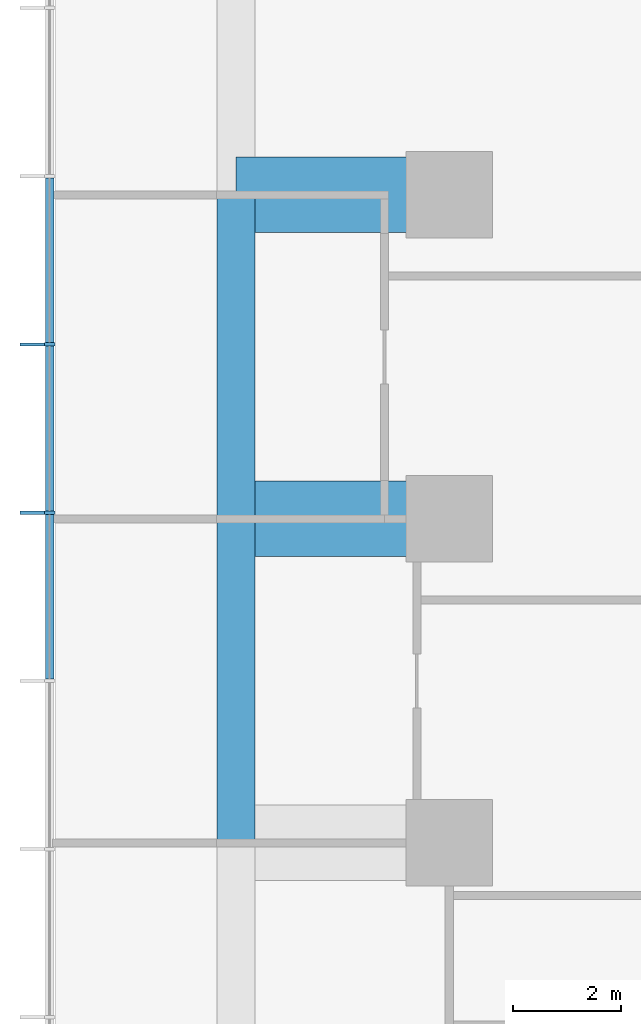
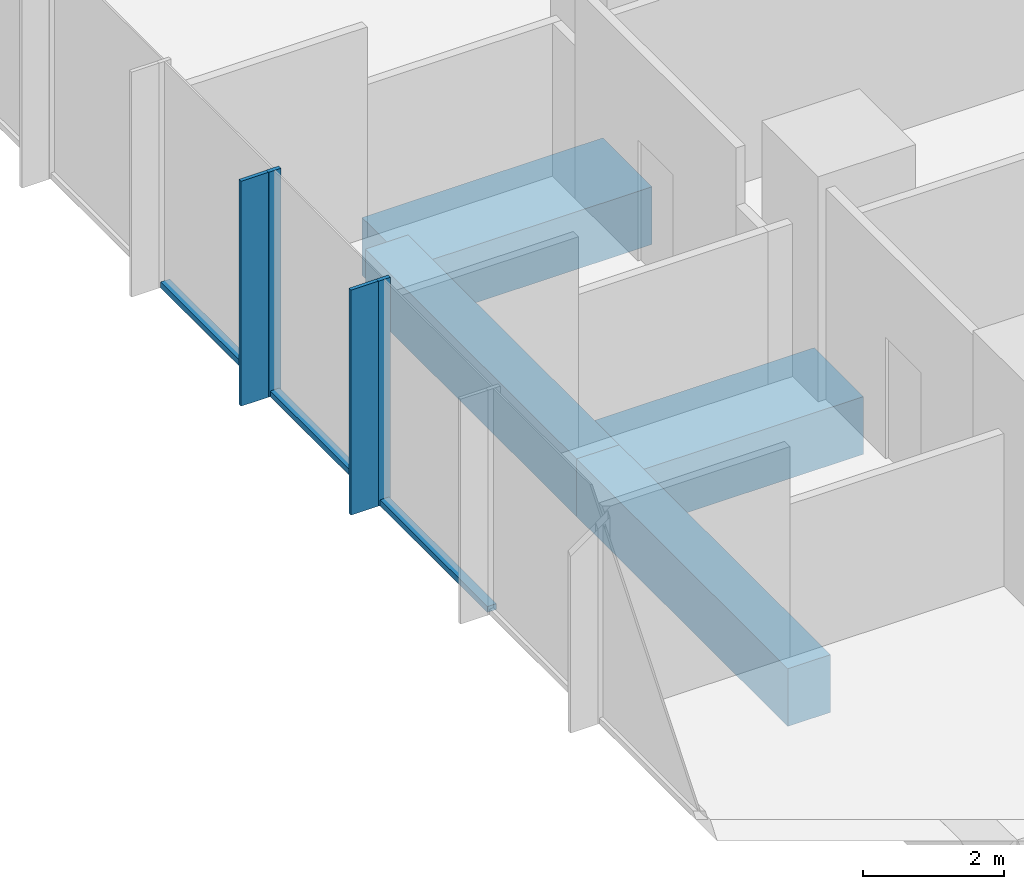
# One storey, part 3 of 11: 7 members, 4 beams, 1 element without a shape of its own.
"""IFC4 building model written with IfcOpenShell, lengths in metres."""

from ifc_helpers import new_model, si_unit, direction, frame, origin, origin_2d, place, context, subcontext, project, spatial, rectangle, extrude, material, layer, layer_set, material_profile, profile_set, type_object, element, aggregate, save


model = new_model("IFC4")

# Units and contexts
model_context = context("Model", 3, precision=1e-05, world=origin(), true_north=direction((0.0, 1.0)))
body_context = subcontext(model_context, "Body", "Model", "MODEL_VIEW")
ifc_project = project(units=[si_unit("LENGTHUNIT", "METRE"), si_unit("AREAUNIT", "SQUARE_METRE"), si_unit("VOLUMEUNIT", "CUBIC_METRE"), si_unit("PLANEANGLEUNIT", "RADIAN"), si_unit("MASSUNIT", "GRAM", prefix="KILO")], contexts=[model_context])

# Site, building, storey
site_placement = place(None, origin())
site = spatial("IfcSite", under=ifc_project, at=site_placement, CompositionType="ELEMENT")
building_placement = place(site_placement, origin())
building = spatial("IfcBuilding", under=site, at=building_placement, Name="Highveld Stack Headquarters", CompositionType="ELEMENT")
storey_placement = place(building_placement, frame((0.0, 0.0, 117.199951171875)))
storey = spatial("IfcBuildingStorey", under=building, at=storey_placement, Name="L28", CompositionType="ELEMENT", Elevation=117.199951171875)

# Beams
ifc_material_1 = material(Name="Concrete C60/75", Category="concrete")
ifc_material_profile_1 = material_profile(ifc_material_1, rectangle(XDim=1.39990234375, YDim=1.0, at=origin_2d()), Name="RC 1400x1000")
ifc_profile_set_1 = profile_set([ifc_material_profile_1], Name="Concrete C60/75")
beam_type_1 = type_object("IfcBeamType", Name="CANTILEVER RIB RC 1400x1000", PredefinedType="USERDEFINED", material=ifc_profile_set_1)
for number, where, z_axis, x_axis, name in (
    (1, (-18.0, 6.0, -0.75), (-1.0, 0.0, 0.0), (0.0, -1.0, 0.0), "Cantilever rib 3/F L28"),
    (2, (-18.0, 12.0, -0.75), (-1.0, 0.0, 0.0), (0.0, -1.0, 0.0), "Cantilever rib 3/G L28"),
):
    element("IfcBeam", number, at=place(storey_placement, frame(where, z_axis=z_axis, x_axis=x_axis)), inside=storey, type_object=beam_type_1, Name=name, ObjectType="CANTILEVER RIB", PredefinedType="USERDEFINED", context=body_context, shape_type="SweptSolid", body=[
        extrude(rectangle(XDim=1.39990234375, YDim=1.0, at=origin_2d()), origin(), (0.0, 0.0, 1.0), 3.949951171875),
    ])

# Curtain wall, members
ifc_material_2 = material(Name="Aluminium bronze anodised", Category="aluminium")
ifc_layer = layer(ifc_material_2, 0.199951171875)
ifc_layer_set = layer_set([ifc_layer], Name="Aluminium bronze anodised")
curtain_wall_type = type_object("IfcCurtainWallType", Name="CW1 TOWER UNITISED CURTAIN WALL", PredefinedType="NOTDEFINED", material=ifc_layer_set)
curtain_wall_placement = place(storey_placement, origin())
curtain_wall = element("IfcCurtainWall", 3, at=curtain_wall_placement, inside=storey, type_object=curtain_wall_type, Name="Curtain wall CW1 L28 W", PredefinedType="NOTDEFINED")
ifc_material_3 = material(Name="Aluminium bronze anodised", Category="aluminium")
ifc_material_profile_2 = material_profile(ifc_material_3, rectangle(XDim=0.449951171875, YDim=0.06005859375, at=origin_2d()), Name="FIN 450x60")
ifc_profile_set_2 = profile_set([ifc_material_profile_2], Name="Aluminium bronze anodised")
member_type_1 = type_object("IfcMemberType", Name="CW1 BRONZE FIN 450x60", PredefinedType="USERDEFINED", material=ifc_profile_set_2)
member_1_placement = place(storey_placement, frame((-25.72509765625, 9.23193359375, 0.0), z_axis=(0.0, 0.0, 1.0), x_axis=(1.0, 0.0, 0.0)))
member_1 = element("IfcMember", 4, at=member_1_placement, type_object=member_type_1, Name="CW1 fin L28 4", ObjectType="FIN", PredefinedType="USERDEFINED", context=body_context, shape_type="SweptSolid", body=[
    extrude(rectangle(XDim=0.449951171875, YDim=0.06005859375, at=origin_2d()), origin(), (0.0, 0.0, 1.0), 3.900146484375),
])
member_2_placement = place(storey_placement, frame((-25.72509765625, 6.115966796875, 0.0), z_axis=(0.0, 0.0, 1.0), x_axis=(1.0, 0.0, 0.0)))
member_2 = element("IfcMember", 5, at=member_2_placement, type_object=member_type_1, Name="CW1 fin L28 5", ObjectType="FIN", PredefinedType="USERDEFINED", context=body_context, shape_type="SweptSolid", body=[
    extrude(rectangle(XDim=0.449951171875, YDim=0.06005859375, at=origin_2d()), origin(), (0.0, 0.0, 1.0), 3.900146484375),
])
ifc_material_4 = material(Name="Aluminium bronze anodised", Category="aluminium")
ifc_material_profile_3 = material_profile(ifc_material_4, rectangle(XDim=0.199951171875, YDim=0.06494140625, at=origin_2d()), Name="CW1 MULLION 65x200")
ifc_profile_set_3 = profile_set([ifc_material_profile_3], Name="Aluminium bronze anodised")
member_type_2 = type_object("IfcMemberType", Name="CW1 MULLION 65x200", PredefinedType="MULLION", material=ifc_profile_set_3)
member_3_placement = place(storey_placement, frame((-25.39990234375, 9.23193359375, 0.0), z_axis=(0.0, 0.0, 1.0), x_axis=(1.0, 0.0, 0.0)))
member_3 = element("IfcMember", 6, at=member_3_placement, type_object=member_type_2, Name="CW1 mullion L28 4", PredefinedType="MULLION", context=body_context, shape_type="SweptSolid", body=[
    extrude(rectangle(XDim=0.199951171875, YDim=0.06494140625, at=origin_2d()), origin(), (0.0, 0.0, 1.0), 3.900146484375),
])
member_4_placement = place(storey_placement, frame((-25.39990234375, 6.115966796875, 0.0), z_axis=(0.0, 0.0, 1.0), x_axis=(1.0, 0.0, 0.0)))
member_4 = element("IfcMember", 7, at=member_4_placement, type_object=member_type_2, Name="CW1 mullion L28 5", PredefinedType="MULLION", context=body_context, shape_type="SweptSolid", body=[
    extrude(rectangle(XDim=0.199951171875, YDim=0.06494140625, at=origin_2d()), origin(), (0.0, 0.0, 1.0), 3.900146484375),
])
ifc_material_5 = material(Name="Aluminium bronze anodised", Category="aluminium")
ifc_material_profile_4 = material_profile(ifc_material_5, rectangle(XDim=0.14990234375, YDim=0.10009765625, at=origin_2d()), Name="CW1 TRANSOM 150x100")
ifc_profile_set_4 = profile_set([ifc_material_profile_4], Name="Aluminium bronze anodised")
member_type_3 = type_object("IfcMemberType", Name="CW1 STACK TRANSOM 150x100", PredefinedType="USERDEFINED", material=ifc_profile_set_4)
member_5_placement = place(storey_placement, frame((-25.39990234375, 12.3154296875, 0.050048828125), z_axis=(0.0, -1.0, 0.0), x_axis=(1.0, 0.0, 0.0)))
member_5 = element("IfcMember", 8, at=member_5_placement, type_object=member_type_3, Name="CW1 transom L28 3.1", ObjectType="TRANSOM", PredefinedType="USERDEFINED", context=body_context, shape_type="SweptSolid", body=[
    extrude(rectangle(XDim=0.14990234375, YDim=0.10009765625, at=origin_2d()), origin(), (0.0, 0.0, 1.0), 3.051025390625),
])
member_6_placement = place(storey_placement, frame((-25.39990234375, 9.199462890625, 0.050048828125), z_axis=(0.0, -1.0, 0.0), x_axis=(1.0, 0.0, 0.0)))
member_6 = element("IfcMember", 9, at=member_6_placement, type_object=member_type_3, Name="CW1 transom L28 4.1", ObjectType="TRANSOM", PredefinedType="USERDEFINED", context=body_context, shape_type="SweptSolid", body=[
    extrude(rectangle(XDim=0.14990234375, YDim=0.10009765625, at=origin_2d()), origin(), (0.0, 0.0, 1.0), 3.051025390625),
])
member_7_placement = place(storey_placement, frame((-25.39990234375, 6.08349609375, 0.050048828125), z_axis=(0.0, -1.0, 0.0), x_axis=(1.0, 0.0, 0.0)))
member_7 = element("IfcMember", 10, at=member_7_placement, type_object=member_type_3, Name="CW1 transom L28 5.1", ObjectType="TRANSOM", PredefinedType="USERDEFINED", context=body_context, shape_type="SweptSolid", body=[
    extrude(rectangle(XDim=0.14990234375, YDim=0.10009765625, at=origin_2d()), origin(), (0.0, 0.0, 1.0), 3.051025390625),
])
aggregate(curtain_wall, [member_3, member_1, member_4, member_2, member_5, member_6, member_7])

# Beams
ifc_material_6 = material(Name="Concrete C60/75", Category="concrete")
ifc_material_profile_5 = material_profile(ifc_material_6, rectangle(XDim=0.699951171875, YDim=1.0, at=origin_2d()), Name="RC 700x1000")
ifc_profile_set_5 = profile_set([ifc_material_profile_5], Name="Concrete C60/75")
beam_type_2 = type_object("IfcBeamType", Name="RIB TIP BEAM RC 700x1000", PredefinedType="SPANDREL", material=ifc_profile_set_5)
for number, where, z_axis, x_axis, name in (
    (11, (-21.949951171875, 0.0, -0.75), (0.0, 1.0, 0.0), (-1.0, 0.0, 0.0), "Rib tip beam 3/E to 3/F L28"),
    (12, (-21.949951171875, 6.0, -0.75), (0.0, 1.0, 0.0), (-1.0, 0.0, 0.0), "Rib tip beam 3/F to 3/G L28"),
):
    element("IfcBeam", number, at=place(storey_placement, frame(where, z_axis=z_axis, x_axis=x_axis)), inside=storey, type_object=beam_type_2, Name=name, PredefinedType="SPANDREL", context=body_context, shape_type="SweptSolid", body=[
        extrude(rectangle(XDim=0.699951171875, YDim=1.0, at=origin_2d()), origin(), (0.0, 0.0, 1.0), 6.0),
    ])

save(model, "model.ifc")
